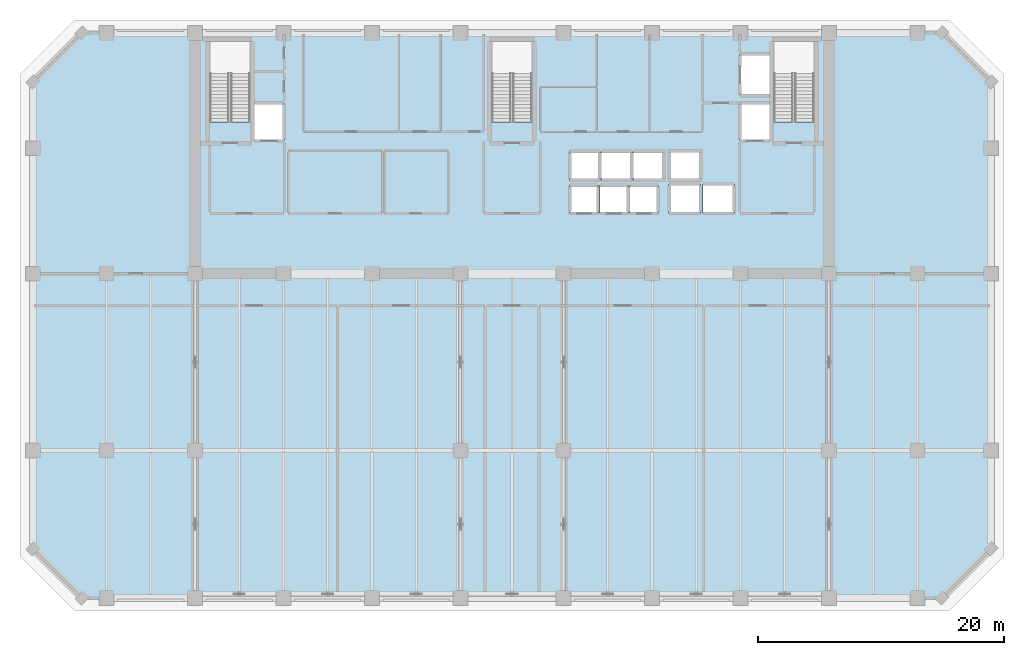
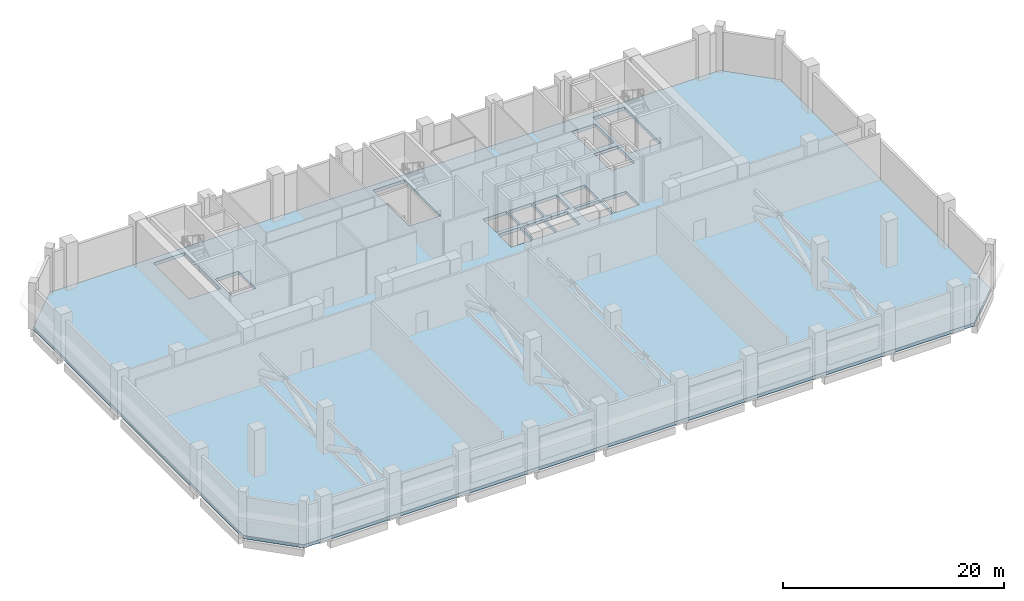
# One storey, part 5 of 13: 1 slab.
"""IFC4 building model written with IfcOpenShell, lengths in metres."""

from ifc_helpers import new_model, si_unit, direction, frame, origin, place, context, subcontext, project, spatial, polyline, outline, extrude, material, layer, layer_set, type_object, element, save


model = new_model("IFC4")

# Units and contexts
model_context = context("Model", 3, precision=1e-05, world=origin(), true_north=direction((0.0, 1.0)))
body_context = subcontext(model_context, "Body", "Model", "MODEL_VIEW")
ifc_project = project(units=[si_unit("LENGTHUNIT", "METRE"), si_unit("AREAUNIT", "SQUARE_METRE"), si_unit("VOLUMEUNIT", "CUBIC_METRE"), si_unit("PLANEANGLEUNIT", "RADIAN"), si_unit("MASSUNIT", "GRAM", prefix="KILO")], contexts=[model_context])

# Site, building, storey
site_placement = place(None, origin())
site = spatial("IfcSite", under=ifc_project, at=site_placement, CompositionType="ELEMENT")
building_placement = place(site_placement, origin())
building = spatial("IfcBuilding", under=site, at=building_placement, Name="Kaelvorn Grand Hotel", CompositionType="ELEMENT")
storey_placement = place(building_placement, frame((0.0, 0.0, 184.75)))
storey = spatial("IfcBuildingStorey", under=building, at=storey_placement, Name="L45", CompositionType="ELEMENT", Elevation=184.75)

# Slab
ifc_material = material(Name="Concrete C40/50", Category="concrete")
ifc_layer = layer(ifc_material, 0.35009765625)
ifc_layer_set = layer_set([ifc_layer], Name="Concrete C40/50")
slab_type = type_object("IfcSlabType", Name="SLB-FLR-350-C40", PredefinedType="FLOOR", material=ifc_layer_set)
slab_placement = place(storey_placement, frame((0.0, 0.0, -0.35009765625)))
element("IfcSlab", 1, at=slab_placement, inside=storey, type_object=slab_type, Name="L45 Indoor Suspended Floor Slab", PredefinedType="FLOOR", context=body_context, shape_type="SweptSolid", body=[
    extrude(outline(polyline([(7.0, 3.0), (77.0, 3.0), (81.0, 7.0), (81.0, 45.0), (77.0, 49.0), (7.0, 49.0), (3.0, 45.0), (3.0, 7.0), (7.0, 3.0)]), holes=[polyline([(17.39990234375, 41.760009765625), (17.39990234375, 48.300048828125), (20.679931640625, 48.300048828125), (20.679931640625, 41.760009765625), (17.39990234375, 41.760009765625)]), polyline([(40.360107421875, 41.760009765625), (40.360107421875, 48.300048828125), (43.639892578125, 48.300048828125), (43.639892578125, 41.760009765625), (40.360107421875, 41.760009765625)]), polyline([(63.320068359375, 41.760009765625), (63.320068359375, 48.300048828125), (66.60009765625, 48.300048828125), (66.60009765625, 41.760009765625), (63.320068359375, 41.760009765625)]), polyline([(46.699951171875, 34.300048828125), (46.699951171875, 36.60009765625), (49.0, 36.60009765625), (49.0, 34.300048828125), (46.699951171875, 34.300048828125)]), polyline([(49.14990234375, 34.300048828125), (49.14990234375, 36.60009765625), (51.449951171875, 36.60009765625), (51.449951171875, 34.300048828125), (49.14990234375, 34.300048828125)]), polyline([(51.60009765625, 34.300048828125), (51.60009765625, 36.60009765625), (53.89990234375, 36.60009765625), (53.89990234375, 34.300048828125), (51.60009765625, 34.300048828125)]), polyline([(46.699951171875, 37.0), (46.699951171875, 39.35009765625), (49.14990234375, 39.35009765625), (49.14990234375, 37.0), (46.699951171875, 37.0)]), polyline([(49.300048828125, 37.0), (49.300048828125, 39.35009765625), (51.75, 39.35009765625), (51.75, 37.0), (49.300048828125, 37.0)]), polyline([(51.89990234375, 37.0), (51.89990234375, 39.35009765625), (54.35009765625, 39.35009765625), (54.35009765625, 37.0), (51.89990234375, 37.0)]), polyline([(54.800048828125, 34.300048828125), (54.800048828125, 36.699951171875), (57.35009765625, 36.699951171875), (57.35009765625, 34.300048828125), (54.800048828125, 34.300048828125)]), polyline([(57.550048828125, 34.300048828125), (57.550048828125, 36.699951171875), (60.10009765625, 36.699951171875), (60.10009765625, 34.300048828125), (57.550048828125, 34.300048828125)]), polyline([(54.800048828125, 37.0), (54.800048828125, 39.39990234375), (57.35009765625, 39.39990234375), (57.35009765625, 37.0), (54.800048828125, 37.0)]), polyline([(21.0, 40.199951171875), (21.0, 43.300048828125), (23.449951171875, 43.300048828125), (23.449951171875, 40.199951171875), (21.0, 40.199951171875)]), polyline([(60.550048828125, 40.199951171875), (60.550048828125, 43.300048828125), (63.0, 43.300048828125), (63.0, 40.199951171875), (60.550048828125, 40.199951171875)]), polyline([(60.550048828125, 43.89990234375), (60.550048828125, 47.300048828125), (63.0, 47.300048828125), (63.0, 43.89990234375), (60.550048828125, 43.89990234375)])]), origin(), (0.0, 0.0, 1.0), 0.35009765625),
])

save(model, "model.ifc")
